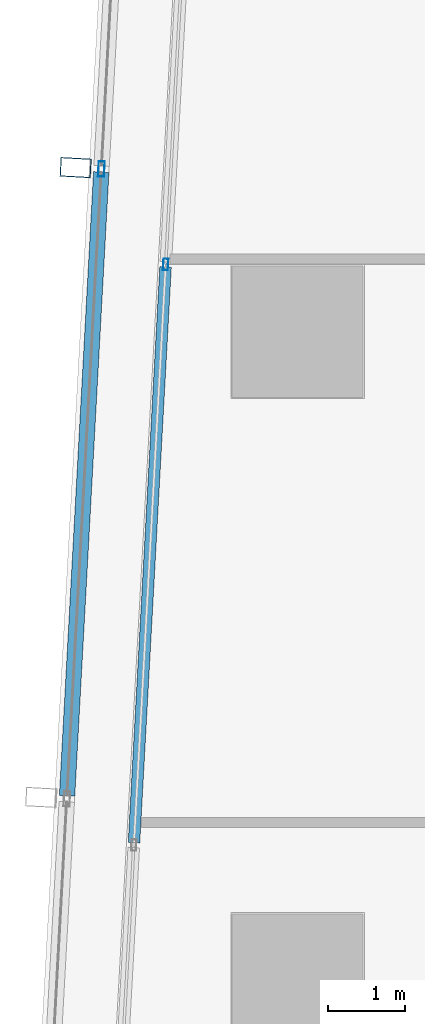
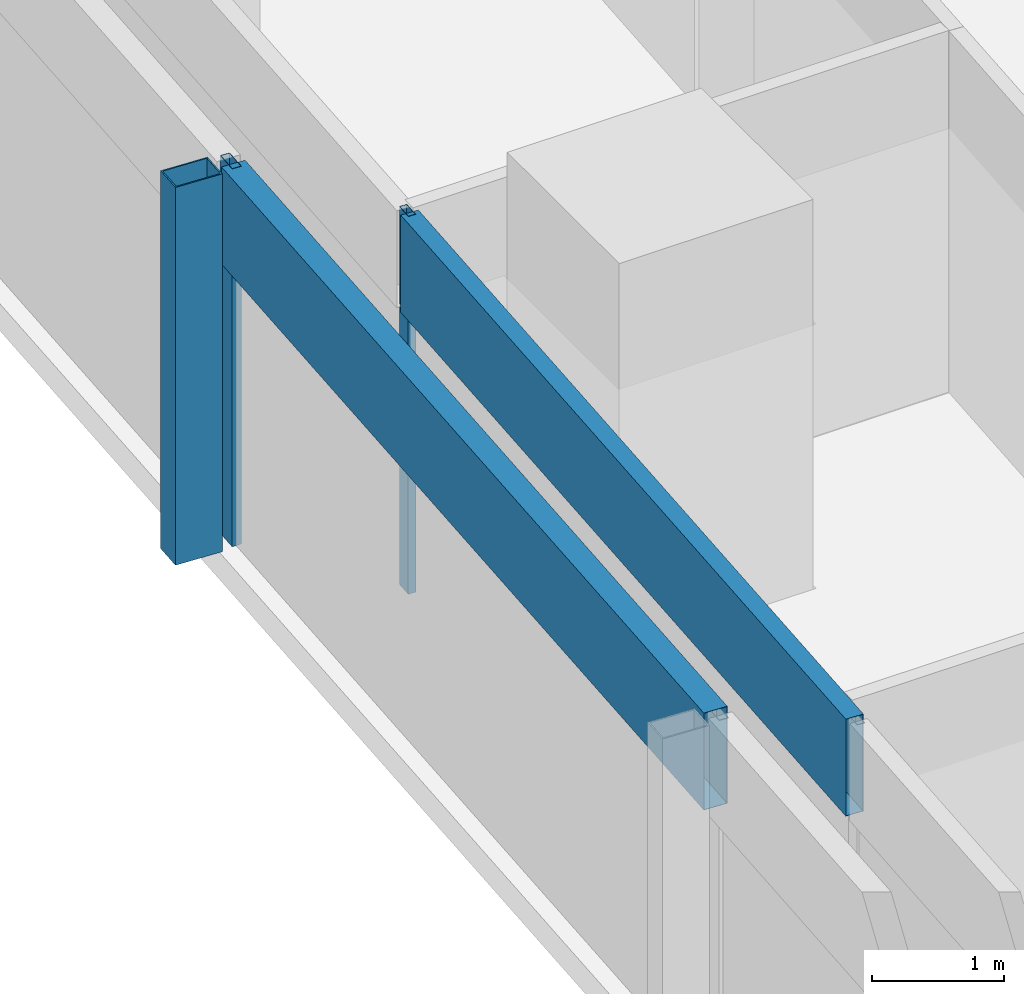
# One storey, part 8 of 40: 5 members, 2 elements without a shape of their own.
"""IFC4 building model written with IfcOpenShell, lengths in metres."""

from ifc_helpers import new_model, si_unit, direction, frame, origin, origin_2d, place, context, subcontext, project, spatial, hollow_rectangle, extrude, material, material_profile, profile_set, type_object, element, aggregate, save


model = new_model("IFC4")

# Units and contexts
model_context = context("Model", 3, precision=1e-05, world=origin(), true_north=direction((0.0, 1.0)))
body_context = subcontext(model_context, "Body", "Model", "MODEL_VIEW")
ifc_project = project(units=[si_unit("LENGTHUNIT", "METRE"), si_unit("AREAUNIT", "SQUARE_METRE"), si_unit("VOLUMEUNIT", "CUBIC_METRE"), si_unit("PLANEANGLEUNIT", "RADIAN"), si_unit("MASSUNIT", "GRAM", prefix="KILO")], contexts=[model_context])

# Site, building, storey
site_placement = place(None, origin())
site = spatial("IfcSite", under=ifc_project, at=site_placement, CompositionType="ELEMENT")
building_placement = place(site_placement, origin())
building = spatial("IfcBuilding", under=site, at=building_placement, Name="Rekha Terrace Tower", CompositionType="ELEMENT")
storey_placement = place(building_placement, frame((0.0, 0.0, 117.800048828125)))
storey = spatial("IfcBuildingStorey", under=building, at=storey_placement, Name="L29", CompositionType="ELEMENT", Elevation=117.800048828125)

# Curtain wall, member
ifc_material_1 = material(Name="Aluminium framing", Category="aluminium")
curtain_wall_type_1 = type_object("IfcCurtainWallType", Name="CW2 double skin outer glazing", PredefinedType="USERDEFINED", material=ifc_material_1)
curtain_wall_1_placement = place(storey_placement, origin())
curtain_wall_1 = element("IfcCurtainWall", 1, at=curtain_wall_1_placement, inside=storey, type_object=curtain_wall_type_1, Name="CW2 double skin outer glazing", ObjectType="DOUBLE SKIN OUTER GLAZING", PredefinedType="USERDEFINED")
ifc_material_2 = material(Name="Steel S355 with fluorocarbon finish", Category="steel")
ifc_material_profile_1 = material_profile(ifc_material_2, hollow_rectangle(XDim=0.25, YDim=0.39990234375, WallThickness=0.012451171875, at=origin_2d()), Name="RHS400x250x12.5")
ifc_profile_set_1 = profile_set([ifc_material_profile_1], Name="Steel S355 with fluorocarbon finish")
member_type_1 = type_object("IfcMemberType", Name="BL1 facade blade RHS 400 x 250", PredefinedType="USERDEFINED", material=ifc_profile_set_1)
member_1_placement = place(storey_placement, frame((5.521728515625, 44.128662109375, 0.0), z_axis=(0.0, 0.0, 1.0), x_axis=(-0.054742798353, -0.998500488747, 0.0)))
member_1 = element("IfcMember", 2, at=member_1_placement, type_object=member_type_1, Name="Facade blade", ObjectType="FACADE BLADE", PredefinedType="USERDEFINED", context=body_context, shape_type="SweptSolid", body=[
    extrude(hollow_rectangle(XDim=0.25, YDim=0.39990234375, WallThickness=0.012451171875, at=origin_2d()), origin(), (0.0, 0.0, 1.0), 3.5),
])

# Curtain wall, members
curtain_wall_type_2 = type_object("IfcCurtainWallType", Name="CW1 double skin inner glazing", PredefinedType="USERDEFINED", material=ifc_material_1)
curtain_wall_2_placement = place(storey_placement, origin())
curtain_wall_2 = element("IfcCurtainWall", 3, at=curtain_wall_2_placement, inside=storey, type_object=curtain_wall_type_2, Name="CW1 double skin inner glazing", ObjectType="DOUBLE SKIN INNER GLAZING", PredefinedType="USERDEFINED")
ifc_material_3 = material(Name="Aluminium mullion section", Category="aluminium")
ifc_material_profile_2 = material_profile(ifc_material_3, hollow_rectangle(XDim=0.06494140625, YDim=0.14990234375, WallThickness=0.00390625, at=origin_2d()), Name="AL RHS 65x150")
ifc_profile_set_2 = profile_set([ifc_material_profile_2], Name="Aluminium mullion section")
member_type_2 = type_object("IfcMemberType", Name="CW1 mullion RHS 65 x 150", PredefinedType="MULLION", material=ifc_profile_set_2)
member_2_placement = place(storey_placement, frame((6.689697265625, 42.87255859375, 0.0), z_axis=(0.0, 0.0, 1.0), x_axis=(0.99850051318, -0.054742352707, 0.0)))
member_2 = element("IfcMember", 4, at=member_2_placement, type_object=member_type_2, Name="CW1 mullion 3", PredefinedType="MULLION", context=body_context, shape_type="SweptSolid", body=[
    extrude(hollow_rectangle(XDim=0.06494140625, YDim=0.14990234375, WallThickness=0.00390625, at=origin_2d()), origin(), (0.0, 0.0, 1.0), 3.5),
])
ifc_material_4 = material(Name="Insulated aluminium spandrel box", Category="aluminium")
ifc_material_profile_3 = material_profile(ifc_material_4, hollow_rectangle(XDim=0.14990234375, YDim=0.89990234375, WallThickness=0.0029296875, at=origin_2d()), Name="AL SPANDREL BOX 150x900")
ifc_profile_set_3 = profile_set([ifc_material_profile_3], Name="Insulated aluminium spandrel box")
member_type_3 = type_object("IfcMemberType", Name="CW1 spandrel transom 150 x 900", PredefinedType="USERDEFINED", material=ifc_profile_set_3)
member_3_placement = place(storey_placement, frame((6.68798828125, 42.840087890625, 3.050048828125), z_axis=(-0.054766415299, -0.998499193668, 0.0), x_axis=(0.998499193668, -0.054766415299, 0.0)))
member_3 = element("IfcMember", 5, at=member_3_placement, type_object=member_type_3, Name="CW1 spandrel transom 3", ObjectType="TRANSOM", PredefinedType="USERDEFINED", context=body_context, shape_type="SweptSolid", body=[
    extrude(hollow_rectangle(XDim=0.14990234375, YDim=0.89990234375, WallThickness=0.0029296875, at=origin_2d()), origin(), (0.0, 0.0, 1.0), 7.475830078125),
])
aggregate(curtain_wall_2, [member_2, member_3])

# Member
ifc_material_profile_4 = material_profile(ifc_material_3, hollow_rectangle(XDim=0.080078125, YDim=0.199951171875, WallThickness=0.00390625, at=origin_2d()), Name="AL RHS 80x200")
ifc_profile_set_4 = profile_set([ifc_material_profile_4], Name="Aluminium mullion section")
member_type_4 = type_object("IfcMemberType", Name="CW2 mullion RHS 80 x 200", PredefinedType="MULLION", material=ifc_profile_set_4)
member_4_placement = place(storey_placement, frame((5.856201171875, 44.1103515625, 0.0), z_axis=(0.0, 0.0, 1.0), x_axis=(0.99850051318, -0.054742352707, 0.0)))
member_4 = element("IfcMember", 6, at=member_4_placement, type_object=member_type_4, Name="CW2 mullion 3", PredefinedType="MULLION", context=body_context, shape_type="SweptSolid", body=[
    extrude(hollow_rectangle(XDim=0.080078125, YDim=0.199951171875, WallThickness=0.00390625, at=origin_2d()), origin(), (0.0, 0.0, 1.0), 3.5),
])

ifc_material_profile_5 = material_profile(ifc_material_4, hollow_rectangle(XDim=0.199951171875, YDim=0.89990234375, WallThickness=0.0029296875, at=origin_2d()), Name="AL SPANDREL BOX 200x900")
ifc_profile_set_5 = profile_set([ifc_material_profile_5], Name="Insulated aluminium spandrel box")
member_type_5 = type_object("IfcMemberType", Name="CW2 spandrel transom 200 x 900", PredefinedType="USERDEFINED", material=ifc_profile_set_5)
member_5_placement = place(storey_placement, frame((5.85400390625, 44.070556640625, 3.050048828125), z_axis=(-0.054735499102, -0.998500888902, 0.0), x_axis=(0.998500888902, -0.054735499102, 0.0)))
member_5 = element("IfcMember", 7, at=member_5_placement, type_object=member_type_5, Name="CW2 spandrel transom 3", ObjectType="TRANSOM", PredefinedType="USERDEFINED", context=body_context, shape_type="SweptSolid", body=[
    extrude(hollow_rectangle(XDim=0.199951171875, YDim=0.89990234375, WallThickness=0.0029296875, at=origin_2d()), origin(), (0.0, 0.0, 1.0), 8.10009765625),
])

aggregate(curtain_wall_1, [member_4, member_5, member_1])

save(model, "model.ifc")
